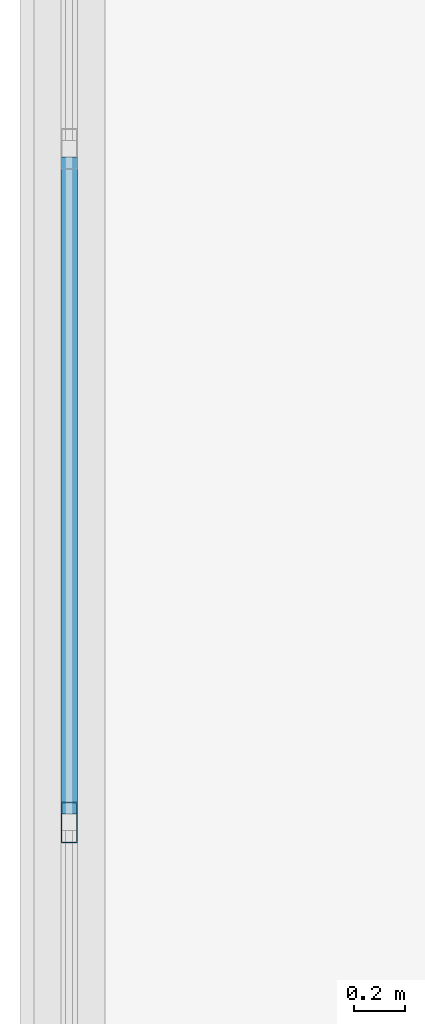
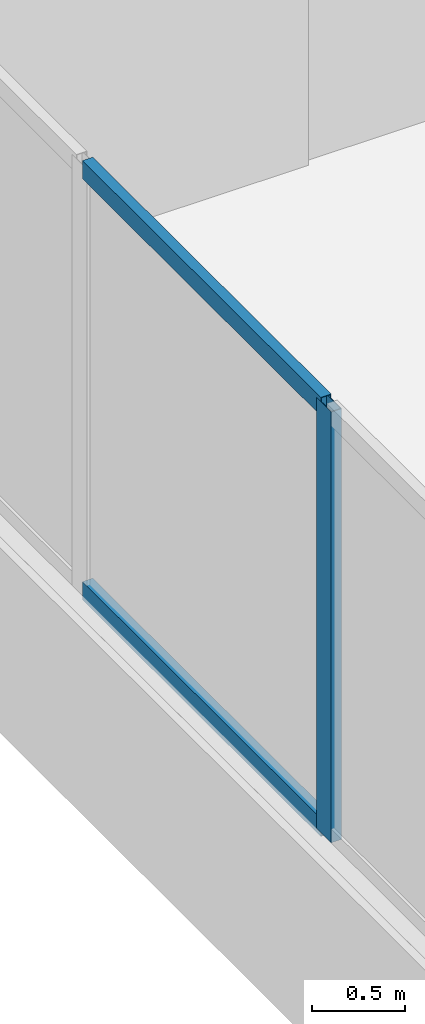
# One storey, part 12 of 76: 3 members, 1 element without a shape of its own.
"""IFC4 building model written with IfcOpenShell, lengths in metres."""

from ifc_helpers import new_model, si_unit, direction, frame, origin, origin_2d, place, context, subcontext, project, spatial, hollow_rectangle, extrude, material, material_profile, profile_set, type_object, element, aggregate, save


model = new_model("IFC4")

# Units and contexts
model_context = context("Model", 3, precision=1e-05, world=origin(), true_north=direction((0.0, 1.0)))
body_context = subcontext(model_context, "Body", "Model", "MODEL_VIEW")
ifc_project = project(units=[si_unit("LENGTHUNIT", "METRE"), si_unit("AREAUNIT", "SQUARE_METRE"), si_unit("VOLUMEUNIT", "CUBIC_METRE"), si_unit("PLANEANGLEUNIT", "RADIAN"), si_unit("MASSUNIT", "GRAM", prefix="KILO")], contexts=[model_context])

# Site, building, storey
site_placement = place(None, origin())
site = spatial("IfcSite", under=ifc_project, at=site_placement, CompositionType="ELEMENT")
building_placement = place(site_placement, origin())
building = spatial("IfcBuilding", under=site, at=building_placement, Name="Selatvlak General Hospital", CompositionType="ELEMENT")
storey_placement = place(building_placement, frame((0.0, 0.0, 27.300048828125)))
storey = spatial("IfcBuildingStorey", under=building, at=storey_placement, Name="L06", CompositionType="ELEMENT", Elevation=27.300048828125)

# Curtain wall, members
ifc_material_1 = material(Name="Solar-control Low-E double glazing", Category="glass")
curtain_wall_type = type_object("IfcCurtainWallType", Name="CW-CW-01", PredefinedType="USERDEFINED", material=ifc_material_1)
curtain_wall_placement = place(storey_placement, origin())
curtain_wall = element("IfcCurtainWall", 1, at=curtain_wall_placement, inside=storey, type_object=curtain_wall_type, Name="Glazed facade curtain wall CW-L06-0595", ObjectType="UNITISED CURTAIN WALL", PredefinedType="USERDEFINED")
ifc_material_2 = material(Name="Dark anodised aluminium mullion", Category="aluminium")
ifc_material_profile_1 = material_profile(ifc_material_2, hollow_rectangle(XDim=0.06494140625, YDim=0.159912109375, WallThickness=0.00390625, at=origin_2d()), Name="AL-MUL 65x160x4")
ifc_profile_set_1 = profile_set([ifc_material_profile_1], Name="Dark anodised aluminium mullion")
member_type_1 = type_object("IfcMemberType", Name="CWM-01", PredefinedType="MULLION", material=ifc_profile_set_1)
member_1_placement = place(storey_placement, frame((22.800048828125, 98.70458984375, 0.93994140625), z_axis=(0.0, 0.0, 1.0), x_axis=(-1.0, 0.0, 0.0)))
member_1 = element("IfcMember", 2, at=member_1_placement, type_object=member_type_1, Name="CW-01 mullion 2", PredefinedType="MULLION", context=body_context, shape_type="SweptSolid", body=[
    extrude(hollow_rectangle(XDim=0.06494140625, YDim=0.159912109375, WallThickness=0.00390625, at=origin_2d()), origin(), (0.0, 0.0, 1.0), 2.840087890625),
])
ifc_material_profile_2 = material_profile(ifc_material_2, hollow_rectangle(XDim=0.06494140625, YDim=0.1201171875, WallThickness=0.00390625, at=origin_2d()), Name="AL-TRN 65x120x4")
ifc_profile_set_2 = profile_set([ifc_material_profile_2], Name="Dark anodised aluminium mullion")
member_type_2 = type_object("IfcMemberType", Name="CWT-01", PredefinedType="USERDEFINED", material=ifc_profile_set_2)
member_2_placement = place(storey_placement, frame((22.800048828125, 98.737060546875, 0.972412109375), z_axis=(0.0, 1.0, 0.0), x_axis=(-1.0, 0.0, 0.0)))
member_2 = element("IfcMember", 3, at=member_2_placement, type_object=member_type_2, Name="CW-01 transom 2.1", ObjectType="TRANSOM", PredefinedType="USERDEFINED", context=body_context, shape_type="SweptSolid", body=[
    extrude(hollow_rectangle(XDim=0.06494140625, YDim=0.1201171875, WallThickness=0.00390625, at=origin_2d()), origin(), (0.0, 0.0, 1.0), 2.57470703125),
])
member_3_placement = place(storey_placement, frame((22.800048828125, 98.737060546875, 3.74755859375), z_axis=(0.0, 1.0, 0.0), x_axis=(-1.0, 0.0, 0.0)))
member_3 = element("IfcMember", 4, at=member_3_placement, type_object=member_type_2, Name="CW-01 transom 2.2", ObjectType="TRANSOM", PredefinedType="USERDEFINED", context=body_context, shape_type="SweptSolid", body=[
    extrude(hollow_rectangle(XDim=0.06494140625, YDim=0.1201171875, WallThickness=0.00390625, at=origin_2d()), origin(), (0.0, 0.0, 1.0), 2.57470703125),
])
aggregate(curtain_wall, [member_1, member_2, member_3])

save(model, "model.ifc")
